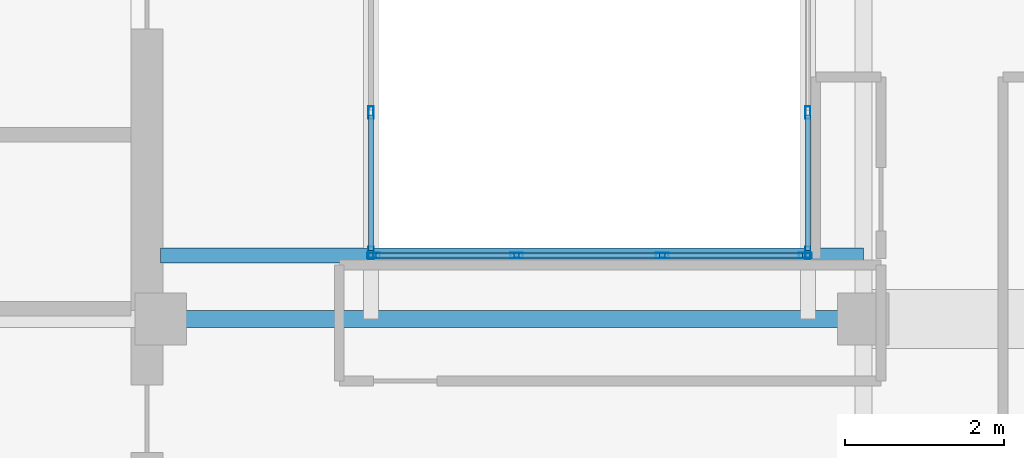
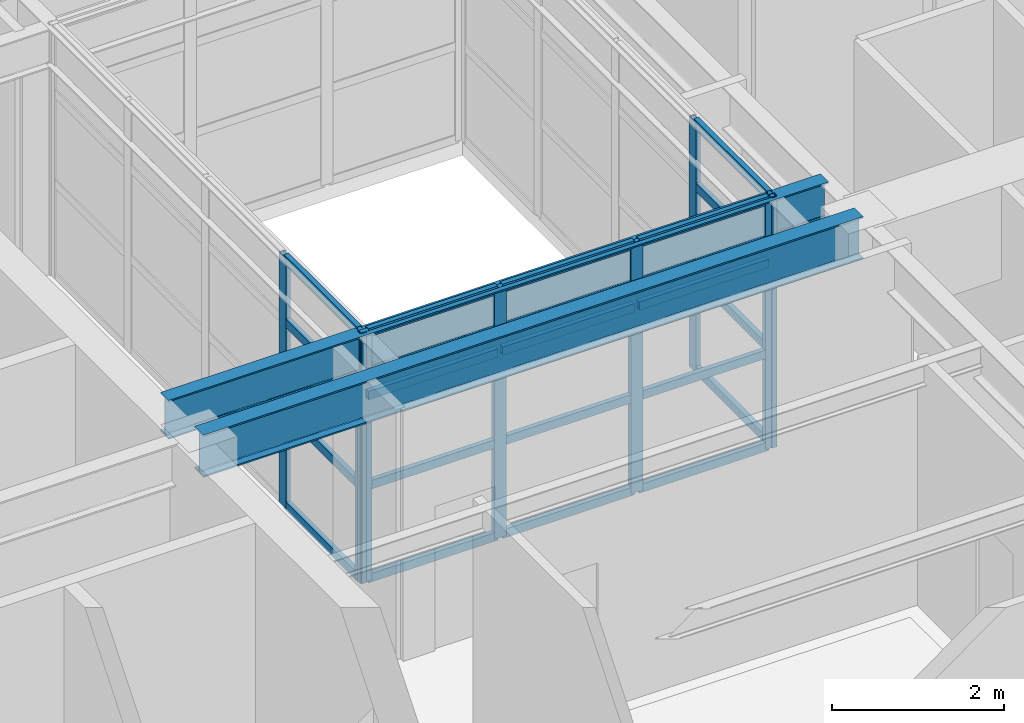
# One storey, part 2 of 11: 28 members, 2 beams, 3 elements without a shape of their own.
"""IFC4 building model written with IfcOpenShell, lengths in metres."""

from ifc_helpers import new_model, si_unit, direction, frame, origin, origin_2d, place, context, subcontext, project, spatial, hollow_rectangle, i_section, extrude, material, layer, layer_set, material_profile, profile_set, type_object, element, aggregate, save


model = new_model("IFC4")

# Units and contexts
model_context = context("Model", 3, precision=1e-05, world=origin(), true_north=direction((0.0, 1.0)))
body_context = subcontext(model_context, "Body", "Model", "MODEL_VIEW")
ifc_project = project(units=[si_unit("LENGTHUNIT", "METRE"), si_unit("AREAUNIT", "SQUARE_METRE"), si_unit("VOLUMEUNIT", "CUBIC_METRE"), si_unit("PLANEANGLEUNIT", "RADIAN"), si_unit("MASSUNIT", "GRAM", prefix="KILO")], contexts=[model_context])

# Site, building, storey
site_placement = place(None, origin())
site = spatial("IfcSite", under=ifc_project, at=site_placement, CompositionType="ELEMENT")
building_placement = place(site_placement, origin())
building = spatial("IfcBuilding", under=site, at=building_placement, Name="Kundavana Baori Tower", CompositionType="ELEMENT")
storey_placement = place(building_placement, frame((0.0, 0.0, 346.699951171875)))
storey = spatial("IfcBuildingStorey", under=building, at=storey_placement, Name="L86", CompositionType="ELEMENT", Elevation=346.699951171875)

# Beams
ifc_material_1 = material(Name="Structural Steel S355JR", Category="steel")
ifc_material_profile_1 = material_profile(ifc_material_1, i_section(OverallWidth=0.18994140625, OverallDepth=0.550048828125, WebThickness=0.01123046875, FlangeThickness=0.019287109375, FilletRadius=0.01806640625, at=origin_2d()), Name="ISMB 550")
ifc_profile_set_1 = profile_set([ifc_material_profile_1], Name="Structural Steel S355JR")
beam_type_1 = type_object("IfcBeamType", Name="BM-ST-550", PredefinedType="BEAM", material=ifc_profile_set_1)
beam_1_placement = place(storey_placement, frame((24.949951171875, 25.0, 3.275146484375), z_axis=(1.0, 0.0, 0.0), x_axis=(0.0, 1.0, 0.0)))
element("IfcBeam", 1, at=beam_1_placement, inside=storey, type_object=beam_type_1, Name="L86 Atrium South Edge Beam", PredefinedType="BEAM", context=body_context, shape_type="SweptSolid", body=[
    extrude(i_section(OverallWidth=0.18994140625, OverallDepth=0.550048828125, WebThickness=0.01123046875, FlangeThickness=0.019287109375, FilletRadius=0.01806640625, at=origin_2d()), origin(), (0.0, 0.0, 1.0), 8.85009765625),
])
ifc_material_2 = material(Name="Structural Steel S355JR", Category="steel")
ifc_material_profile_2 = material_profile(ifc_material_2, i_section(OverallWidth=0.2099609375, OverallDepth=0.60009765625, WebThickness=0.011962890625, FlangeThickness=0.020751953125, FilletRadius=0.02001953125, at=origin_2d()), Name="ISMB 600")
ifc_profile_set_2 = profile_set([ifc_material_profile_2], Name="Structural Steel S355JR")
beam_type_2 = type_object("IfcBeamType", Name="BM-ST-600", PredefinedType="BEAM", material=ifc_profile_set_2)
beam_2_placement = place(storey_placement, frame((24.949951171875, 24.199951171875, 3.25), z_axis=(1.0, 0.0, 0.0), x_axis=(0.0, 1.0, 0.0)))
element("IfcBeam", 2, at=beam_2_placement, inside=storey, type_object=beam_type_2, Name="L86 Primary Grid Girder GX-2-2", PredefinedType="BEAM", context=body_context, shape_type="SweptSolid", body=[
    extrude(i_section(OverallWidth=0.2099609375, OverallDepth=0.60009765625, WebThickness=0.011962890625, FlangeThickness=0.020751953125, FilletRadius=0.02001953125, at=origin_2d()), origin(), (0.0, 0.0, 1.0), 8.85009765625),
])

# Curtain wall, members
ifc_material_3 = material(Name="Thermally Broken Anodised Aluminium Framing", Category="aluminium")
ifc_layer = layer(ifc_material_3, 0.235107421875, Name="CW-SYS-6")
ifc_layer_set = layer_set([ifc_layer], Name="Thermally Broken Anodised Aluminium Framing")
curtain_wall_type = type_object("IfcCurtainWallType", Name="CW-SYS-6", PredefinedType="NOTDEFINED", material=ifc_layer_set)
curtain_wall_1_placement = place(storey_placement, origin())
curtain_wall_1 = element("IfcCurtainWall", 3, at=curtain_wall_1_placement, inside=storey, type_object=curtain_wall_type, Name="L86 Atrium Glazed Curtain Wall S", PredefinedType="NOTDEFINED")
ifc_material_4 = material(Name="Thermally Broken Anodised Aluminium Framing", Category="aluminium")
ifc_material_profile_3 = material_profile(ifc_material_4, hollow_rectangle(XDim=0.06494140625, YDim=0.159912109375, WallThickness=0.00390625, at=origin_2d()), Name="CW-MULL-160")
ifc_profile_set_3 = profile_set([ifc_material_profile_3], Name="Thermally Broken Anodised Aluminium Framing")
member_type_1 = type_object("IfcMemberType", Name="CW-MULL-160", PredefinedType="MULLION", material=ifc_profile_set_3)
member_1_placement = place(storey_placement, frame((27.632568359375, 25.0, 0.0), z_axis=(0.0, 0.0, 1.0), x_axis=(0.0, 1.0, 0.0)))
member_1 = element("IfcMember", 4, at=member_1_placement, type_object=member_type_1, Name="CW6 mullion 1", PredefinedType="MULLION", context=body_context, shape_type="SweptSolid", body=[
    extrude(hollow_rectangle(XDim=0.06494140625, YDim=0.159912109375, WallThickness=0.00390625, at=origin_2d()), origin(), (0.0, 0.0, 1.0), 3.550048828125),
])
member_2_placement = place(storey_placement, frame((29.433349609375, 25.0, 0.0), z_axis=(0.0, 0.0, 1.0), x_axis=(0.0, 1.0, 0.0)))
member_2 = element("IfcMember", 5, at=member_2_placement, type_object=member_type_1, Name="CW6 mullion 2", PredefinedType="MULLION", context=body_context, shape_type="SweptSolid", body=[
    extrude(hollow_rectangle(XDim=0.06494140625, YDim=0.159912109375, WallThickness=0.00390625, at=origin_2d()), origin(), (0.0, 0.0, 1.0), 3.550048828125),
])
member_3_placement = place(storey_placement, frame((31.2666015625, 25.0, 0.0), z_axis=(0.0, 0.0, 1.0), x_axis=(0.0, 1.0, 0.0)))
member_3 = element("IfcMember", 6, at=member_3_placement, type_object=member_type_1, Name="CW6 mullion 3", PredefinedType="MULLION", context=body_context, shape_type="SweptSolid", body=[
    extrude(hollow_rectangle(XDim=0.06494140625, YDim=0.159912109375, WallThickness=0.00390625, at=origin_2d()), origin(), (0.0, 0.0, 1.0), 3.550048828125),
])
member_4_placement = place(storey_placement, frame((33.0673828125, 25.0, 0.0), z_axis=(0.0, 0.0, 1.0), x_axis=(0.0, 1.0, 0.0)))
member_4 = element("IfcMember", 7, at=member_4_placement, type_object=member_type_1, Name="CW6 mullion 4", PredefinedType="MULLION", context=body_context, shape_type="SweptSolid", body=[
    extrude(hollow_rectangle(XDim=0.06494140625, YDim=0.159912109375, WallThickness=0.00390625, at=origin_2d()), origin(), (0.0, 0.0, 1.0), 3.550048828125),
])

curtain_wall_2_placement = place(storey_placement, origin())
curtain_wall_2 = element("IfcCurtainWall", 8, at=curtain_wall_2_placement, inside=storey, type_object=curtain_wall_type, Name="L86 Atrium Glazed Curtain Wall E", PredefinedType="NOTDEFINED")
member_5_placement = place(storey_placement, frame((33.10009765625, 25.032470703125, 0.0), z_axis=(0.0, 0.0, 1.0), x_axis=(-1.0, 0.0, 0.0)))
member_5 = element("IfcMember", 9, at=member_5_placement, type_object=member_type_1, Name="CW6 mullion 1", PredefinedType="MULLION", context=body_context, shape_type="SweptSolid", body=[
    extrude(hollow_rectangle(XDim=0.06494140625, YDim=0.159912109375, WallThickness=0.00390625, at=origin_2d()), origin(), (0.0, 0.0, 1.0), 3.550048828125),
])
member_6_placement = place(storey_placement, frame((33.10009765625, 26.800048828125, 0.0), z_axis=(0.0, 0.0, 1.0), x_axis=(-1.0, 0.0, 0.0)))
member_6 = element("IfcMember", 10, at=member_6_placement, type_object=member_type_1, Name="CW6 mullion 2", PredefinedType="MULLION", context=body_context, shape_type="SweptSolid", body=[
    extrude(hollow_rectangle(XDim=0.06494140625, YDim=0.159912109375, WallThickness=0.00390625, at=origin_2d()), origin(), (0.0, 0.0, 1.0), 3.550048828125),
])

curtain_wall_3_placement = place(storey_placement, origin())
curtain_wall_3 = element("IfcCurtainWall", 11, at=curtain_wall_3_placement, inside=storey, type_object=curtain_wall_type, Name="L86 Atrium Glazed Curtain Wall W", PredefinedType="NOTDEFINED")
member_7_placement = place(storey_placement, frame((27.60009765625, 26.800048828125, 0.0), z_axis=(0.0, 0.0, 1.0), x_axis=(1.0, 0.0, 0.0)))
member_7 = element("IfcMember", 12, at=member_7_placement, type_object=member_type_1, Name="CW6 mullion 4", PredefinedType="MULLION", context=body_context, shape_type="SweptSolid", body=[
    extrude(hollow_rectangle(XDim=0.06494140625, YDim=0.159912109375, WallThickness=0.00390625, at=origin_2d()), origin(), (0.0, 0.0, 1.0), 3.550048828125),
])
member_8_placement = place(storey_placement, frame((27.60009765625, 25.032470703125, 0.0), z_axis=(0.0, 0.0, 1.0), x_axis=(1.0, 0.0, 0.0)))
member_8 = element("IfcMember", 13, at=member_8_placement, type_object=member_type_1, Name="CW6 mullion 5", PredefinedType="MULLION", context=body_context, shape_type="SweptSolid", body=[
    extrude(hollow_rectangle(XDim=0.06494140625, YDim=0.159912109375, WallThickness=0.00390625, at=origin_2d()), origin(), (0.0, 0.0, 1.0), 3.550048828125),
])

# Member
ifc_material_5 = material(Name="Thermally Broken Anodised Aluminium Framing", Category="aluminium")
ifc_material_profile_4 = material_profile(ifc_material_5, hollow_rectangle(XDim=0.06494140625, YDim=0.1201171875, WallThickness=0.00390625, at=origin_2d()), Name="CW-TRAN-120")
ifc_profile_set_4 = profile_set([ifc_material_profile_4], Name="Thermally Broken Anodised Aluminium Framing")
member_type_2 = type_object("IfcMemberType", Name="CW-TRAN-120", PredefinedType="USERDEFINED", material=ifc_profile_set_4)
member_9_placement = place(storey_placement, frame((27.6650390625, 25.0, 0.032470703125), z_axis=(1.0, 0.0, 0.0), x_axis=(0.0, 1.0, 0.0)))
member_9 = element("IfcMember", 14, at=member_9_placement, type_object=member_type_2, Name="CW6 transom 1.1", ObjectType="TRANSOM", PredefinedType="USERDEFINED", context=body_context, shape_type="SweptSolid", body=[
    extrude(hollow_rectangle(XDim=0.06494140625, YDim=0.1201171875, WallThickness=0.00390625, at=origin_2d()), origin(), (0.0, 0.0, 1.0), 1.73583984375),
])

member_10_placement = place(storey_placement, frame((27.6650390625, 25.0, 1.34912109375), z_axis=(1.0, 0.0, 0.0), x_axis=(0.0, 1.0, 0.0)))
member_10 = element("IfcMember", 15, at=member_10_placement, type_object=member_type_2, Name="CW6 transom 1.2", ObjectType="TRANSOM", PredefinedType="USERDEFINED", context=body_context, shape_type="SweptSolid", body=[
    extrude(hollow_rectangle(XDim=0.06494140625, YDim=0.1201171875, WallThickness=0.00390625, at=origin_2d()), origin(), (0.0, 0.0, 1.0), 1.73583984375),
])

member_11_placement = place(storey_placement, frame((27.6650390625, 25.0, 2.626953125), z_axis=(1.0, 0.0, 0.0), x_axis=(0.0, 1.0, 0.0)))
member_11 = element("IfcMember", 16, at=member_11_placement, type_object=member_type_2, Name="CW6 transom 1.3", ObjectType="TRANSOM", PredefinedType="USERDEFINED", context=body_context, shape_type="SweptSolid", body=[
    extrude(hollow_rectangle(XDim=0.06494140625, YDim=0.1201171875, WallThickness=0.00390625, at=origin_2d()), origin(), (0.0, 0.0, 1.0), 1.73583984375),
])

member_12_placement = place(storey_placement, frame((27.6650390625, 25.0, 3.517578125), z_axis=(1.0, 0.0, 0.0), x_axis=(0.0, 1.0, 0.0)))
member_12 = element("IfcMember", 17, at=member_12_placement, type_object=member_type_2, Name="CW6 transom 1.4", ObjectType="TRANSOM", PredefinedType="USERDEFINED", context=body_context, shape_type="SweptSolid", body=[
    extrude(hollow_rectangle(XDim=0.06494140625, YDim=0.1201171875, WallThickness=0.00390625, at=origin_2d()), origin(), (0.0, 0.0, 1.0), 1.73583984375),
])

member_13_placement = place(storey_placement, frame((29.4658203125, 25.0, 0.032470703125), z_axis=(1.0, 0.0, 0.0), x_axis=(0.0, 1.0, 0.0)))
member_13 = element("IfcMember", 18, at=member_13_placement, type_object=member_type_2, Name="CW6 transom 2.1", ObjectType="TRANSOM", PredefinedType="USERDEFINED", context=body_context, shape_type="SweptSolid", body=[
    extrude(hollow_rectangle(XDim=0.06494140625, YDim=0.1201171875, WallThickness=0.00390625, at=origin_2d()), origin(), (0.0, 0.0, 1.0), 1.768310546875),
])

member_14_placement = place(storey_placement, frame((29.4658203125, 25.0, 1.34912109375), z_axis=(1.0, 0.0, 0.0), x_axis=(0.0, 1.0, 0.0)))
member_14 = element("IfcMember", 19, at=member_14_placement, type_object=member_type_2, Name="CW6 transom 2.2", ObjectType="TRANSOM", PredefinedType="USERDEFINED", context=body_context, shape_type="SweptSolid", body=[
    extrude(hollow_rectangle(XDim=0.06494140625, YDim=0.1201171875, WallThickness=0.00390625, at=origin_2d()), origin(), (0.0, 0.0, 1.0), 1.768310546875),
])

member_15_placement = place(storey_placement, frame((29.4658203125, 25.0, 2.626953125), z_axis=(1.0, 0.0, 0.0), x_axis=(0.0, 1.0, 0.0)))
member_15 = element("IfcMember", 20, at=member_15_placement, type_object=member_type_2, Name="CW6 transom 2.3", ObjectType="TRANSOM", PredefinedType="USERDEFINED", context=body_context, shape_type="SweptSolid", body=[
    extrude(hollow_rectangle(XDim=0.06494140625, YDim=0.1201171875, WallThickness=0.00390625, at=origin_2d()), origin(), (0.0, 0.0, 1.0), 1.768310546875),
])

member_16_placement = place(storey_placement, frame((29.4658203125, 25.0, 3.517578125), z_axis=(1.0, 0.0, 0.0), x_axis=(0.0, 1.0, 0.0)))
member_16 = element("IfcMember", 21, at=member_16_placement, type_object=member_type_2, Name="CW6 transom 2.4", ObjectType="TRANSOM", PredefinedType="USERDEFINED", context=body_context, shape_type="SweptSolid", body=[
    extrude(hollow_rectangle(XDim=0.06494140625, YDim=0.1201171875, WallThickness=0.00390625, at=origin_2d()), origin(), (0.0, 0.0, 1.0), 1.768310546875),
])

member_17_placement = place(storey_placement, frame((31.299072265625, 25.0, 0.032470703125), z_axis=(1.0, 0.0, 0.0), x_axis=(0.0, 1.0, 0.0)))
member_17 = element("IfcMember", 22, at=member_17_placement, type_object=member_type_2, Name="CW6 transom 3.1", ObjectType="TRANSOM", PredefinedType="USERDEFINED", context=body_context, shape_type="SweptSolid", body=[
    extrude(hollow_rectangle(XDim=0.06494140625, YDim=0.1201171875, WallThickness=0.00390625, at=origin_2d()), origin(), (0.0, 0.0, 1.0), 1.73583984375),
])

member_18_placement = place(storey_placement, frame((31.299072265625, 25.0, 1.34912109375), z_axis=(1.0, 0.0, 0.0), x_axis=(0.0, 1.0, 0.0)))
member_18 = element("IfcMember", 23, at=member_18_placement, type_object=member_type_2, Name="CW6 transom 3.2", ObjectType="TRANSOM", PredefinedType="USERDEFINED", context=body_context, shape_type="SweptSolid", body=[
    extrude(hollow_rectangle(XDim=0.06494140625, YDim=0.1201171875, WallThickness=0.00390625, at=origin_2d()), origin(), (0.0, 0.0, 1.0), 1.73583984375),
])

member_19_placement = place(storey_placement, frame((31.299072265625, 25.0, 2.626953125), z_axis=(1.0, 0.0, 0.0), x_axis=(0.0, 1.0, 0.0)))
member_19 = element("IfcMember", 24, at=member_19_placement, type_object=member_type_2, Name="CW6 transom 3.3", ObjectType="TRANSOM", PredefinedType="USERDEFINED", context=body_context, shape_type="SweptSolid", body=[
    extrude(hollow_rectangle(XDim=0.06494140625, YDim=0.1201171875, WallThickness=0.00390625, at=origin_2d()), origin(), (0.0, 0.0, 1.0), 1.73583984375),
])

member_20_placement = place(storey_placement, frame((31.299072265625, 25.0, 3.517578125), z_axis=(1.0, 0.0, 0.0), x_axis=(0.0, 1.0, 0.0)))
member_20 = element("IfcMember", 25, at=member_20_placement, type_object=member_type_2, Name="CW6 transom 3.4", ObjectType="TRANSOM", PredefinedType="USERDEFINED", context=body_context, shape_type="SweptSolid", body=[
    extrude(hollow_rectangle(XDim=0.06494140625, YDim=0.1201171875, WallThickness=0.00390625, at=origin_2d()), origin(), (0.0, 0.0, 1.0), 1.73583984375),
])

aggregate(curtain_wall_1, [member_1, member_2, member_3, member_4, member_9, member_10, member_11, member_12, member_13, member_14, member_15, member_16, member_17, member_18, member_19, member_20])

member_21_placement = place(storey_placement, frame((33.10009765625, 25.06494140625, 0.032470703125), z_axis=(0.0, 1.0, 0.0), x_axis=(-1.0, 0.0, 0.0)))
member_21 = element("IfcMember", 26, at=member_21_placement, type_object=member_type_2, Name="CW6 transom 1.1", ObjectType="TRANSOM", PredefinedType="USERDEFINED", context=body_context, shape_type="SweptSolid", body=[
    extrude(hollow_rectangle(XDim=0.06494140625, YDim=0.1201171875, WallThickness=0.00390625, at=origin_2d()), origin(), (0.0, 0.0, 1.0), 1.70263671875),
])

member_22_placement = place(storey_placement, frame((33.10009765625, 25.06494140625, 1.34912109375), z_axis=(0.0, 1.0, 0.0), x_axis=(-1.0, 0.0, 0.0)))
member_22 = element("IfcMember", 27, at=member_22_placement, type_object=member_type_2, Name="CW6 transom 1.2", ObjectType="TRANSOM", PredefinedType="USERDEFINED", context=body_context, shape_type="SweptSolid", body=[
    extrude(hollow_rectangle(XDim=0.06494140625, YDim=0.1201171875, WallThickness=0.00390625, at=origin_2d()), origin(), (0.0, 0.0, 1.0), 1.70263671875),
])

member_23_placement = place(storey_placement, frame((33.10009765625, 25.06494140625, 2.626953125), z_axis=(0.0, 1.0, 0.0), x_axis=(-1.0, 0.0, 0.0)))
member_23 = element("IfcMember", 28, at=member_23_placement, type_object=member_type_2, Name="CW6 transom 1.3", ObjectType="TRANSOM", PredefinedType="USERDEFINED", context=body_context, shape_type="SweptSolid", body=[
    extrude(hollow_rectangle(XDim=0.06494140625, YDim=0.1201171875, WallThickness=0.00390625, at=origin_2d()), origin(), (0.0, 0.0, 1.0), 1.70263671875),
])

member_24_placement = place(storey_placement, frame((33.10009765625, 25.06494140625, 3.517578125), z_axis=(0.0, 1.0, 0.0), x_axis=(-1.0, 0.0, 0.0)))
member_24 = element("IfcMember", 29, at=member_24_placement, type_object=member_type_2, Name="CW6 transom 1.4", ObjectType="TRANSOM", PredefinedType="USERDEFINED", context=body_context, shape_type="SweptSolid", body=[
    extrude(hollow_rectangle(XDim=0.06494140625, YDim=0.1201171875, WallThickness=0.00390625, at=origin_2d()), origin(), (0.0, 0.0, 1.0), 1.70263671875),
])

aggregate(curtain_wall_2, [member_5, member_6, member_21, member_22, member_23, member_24])

member_25_placement = place(storey_placement, frame((27.60009765625, 26.767578125, 0.032470703125), z_axis=(0.0, -1.0, 0.0), x_axis=(1.0, 0.0, 0.0)))
member_25 = element("IfcMember", 30, at=member_25_placement, type_object=member_type_2, Name="CW6 transom 4.1", ObjectType="TRANSOM", PredefinedType="USERDEFINED", context=body_context, shape_type="SweptSolid", body=[
    extrude(hollow_rectangle(XDim=0.06494140625, YDim=0.1201171875, WallThickness=0.00390625, at=origin_2d()), origin(), (0.0, 0.0, 1.0), 1.70263671875),
])

member_26_placement = place(storey_placement, frame((27.60009765625, 26.767578125, 1.34912109375), z_axis=(0.0, -1.0, 0.0), x_axis=(1.0, 0.0, 0.0)))
member_26 = element("IfcMember", 31, at=member_26_placement, type_object=member_type_2, Name="CW6 transom 4.2", ObjectType="TRANSOM", PredefinedType="USERDEFINED", context=body_context, shape_type="SweptSolid", body=[
    extrude(hollow_rectangle(XDim=0.06494140625, YDim=0.1201171875, WallThickness=0.00390625, at=origin_2d()), origin(), (0.0, 0.0, 1.0), 1.70263671875),
])

member_27_placement = place(storey_placement, frame((27.60009765625, 26.767578125, 2.626953125), z_axis=(0.0, -1.0, 0.0), x_axis=(1.0, 0.0, 0.0)))
member_27 = element("IfcMember", 32, at=member_27_placement, type_object=member_type_2, Name="CW6 transom 4.3", ObjectType="TRANSOM", PredefinedType="USERDEFINED", context=body_context, shape_type="SweptSolid", body=[
    extrude(hollow_rectangle(XDim=0.06494140625, YDim=0.1201171875, WallThickness=0.00390625, at=origin_2d()), origin(), (0.0, 0.0, 1.0), 1.70263671875),
])

member_28_placement = place(storey_placement, frame((27.60009765625, 26.767578125, 3.517578125), z_axis=(0.0, -1.0, 0.0), x_axis=(1.0, 0.0, 0.0)))
member_28 = element("IfcMember", 33, at=member_28_placement, type_object=member_type_2, Name="CW6 transom 4.4", ObjectType="TRANSOM", PredefinedType="USERDEFINED", context=body_context, shape_type="SweptSolid", body=[
    extrude(hollow_rectangle(XDim=0.06494140625, YDim=0.1201171875, WallThickness=0.00390625, at=origin_2d()), origin(), (0.0, 0.0, 1.0), 1.70263671875),
])

aggregate(curtain_wall_3, [member_7, member_8, member_25, member_26, member_27, member_28])

save(model, "model.ifc")
